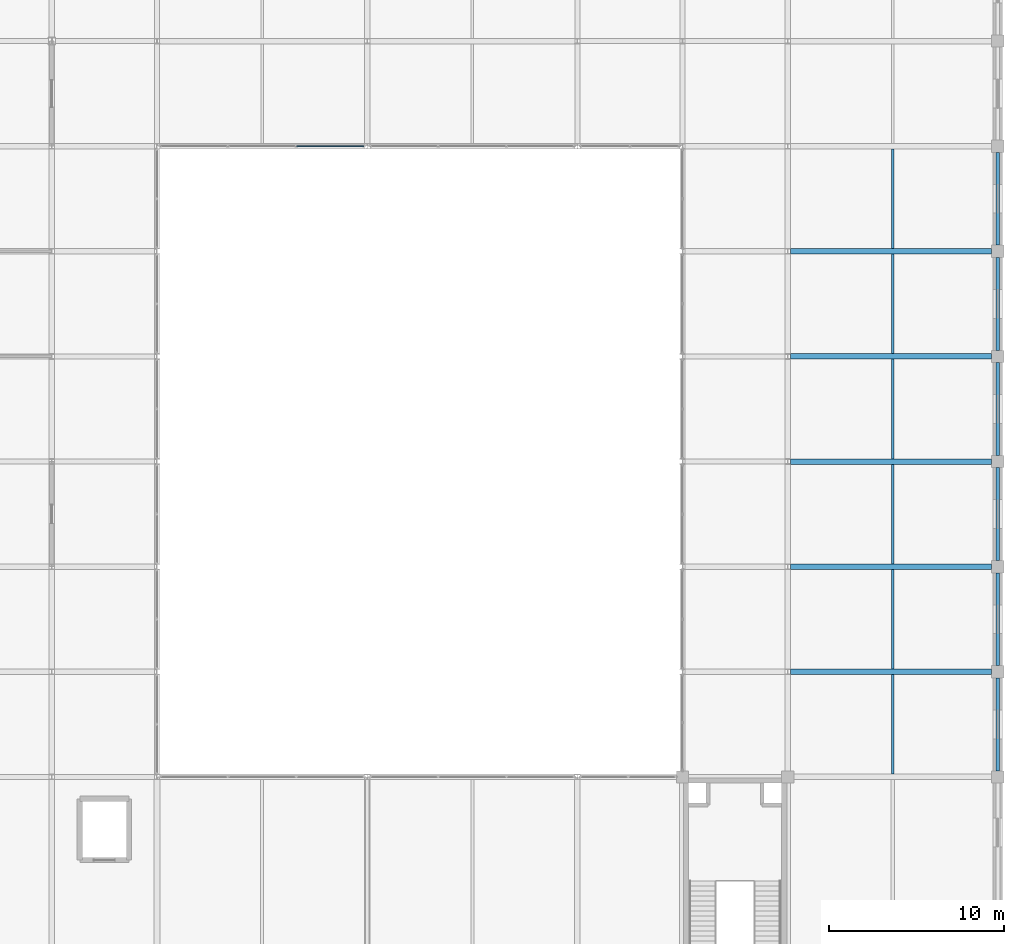
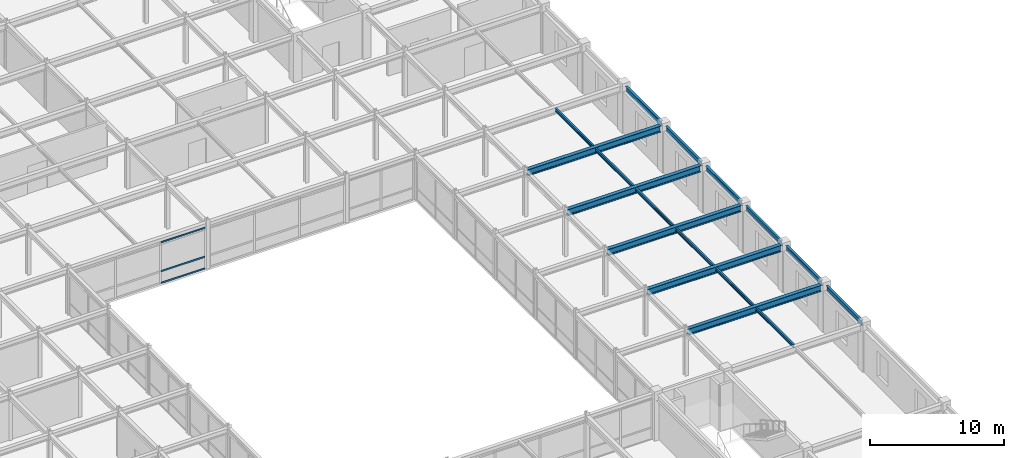
# One storey, part 88 of 108: 17 beams, 3 members, 1 element without a shape of its own.
"""IFC4 building model written with IfcOpenShell, lengths in metres."""

from ifc_helpers import new_model, si_unit, direction, frame, origin, origin_2d, place, context, subcontext, project, spatial, hollow_rectangle, i_section, extrude, material, layer, layer_set, material_profile, profile_set, type_object, element, aggregate, save


model = new_model("IFC4")

# Units and contexts
model_context = context("Model", 3, precision=1e-05, world=origin(), true_north=direction((0.0, 1.0)))
body_context = subcontext(model_context, "Body", "Model", "MODEL_VIEW")
ifc_project = project(units=[si_unit("LENGTHUNIT", "METRE"), si_unit("AREAUNIT", "SQUARE_METRE"), si_unit("VOLUMEUNIT", "CUBIC_METRE"), si_unit("PLANEANGLEUNIT", "RADIAN"), si_unit("MASSUNIT", "GRAM", prefix="KILO")], contexts=[model_context])

# Site, building, storey
site_placement = place(None, origin())
site = spatial("IfcSite", under=ifc_project, at=site_placement, CompositionType="ELEMENT")
building_placement = place(site_placement, origin())
building = spatial("IfcBuilding", under=site, at=building_placement, Name="Zlatovratsky Civic Hall", CompositionType="ELEMENT")
storey_placement = place(building_placement, frame((0.0, 0.0, 12.0)))
storey = spatial("IfcBuildingStorey", under=building, at=storey_placement, Name="L03", CompositionType="ELEMENT", Elevation=12.0)

# Beams
ifc_material_1 = material(Name="Steel S355", Category="steel")
ifc_material_profile_1 = material_profile(ifc_material_1, i_section(OverallWidth=0.320068359375, OverallDepth=0.58203125, WebThickness=0.011962890625, FlangeThickness=0.01708984375, FilletRadius=0.02392578125, at=origin_2d()), Name="60Sh1")
ifc_profile_set_1 = profile_set([ifc_material_profile_1], Name="Steel S355")
beam_type_1 = type_object("IfcBeamType", Name="Beam_PodiumGirder_60Sh1", PredefinedType="BEAM", material=ifc_profile_set_1)
for number, where, z_axis, x_axis, name in (
    (1, (156.1494140625, 36.0, 3.928955078125), (1.0, 0.0, 0.0), (0.0, 1.0, 0.0), "BM-2558"),
    (2, (156.1494140625, 42.0, 3.928955078125), (1.0, 0.0, 0.0), (0.0, 1.0, 0.0), "BM-2574"),
    (3, (156.1494140625, 48.0, 3.928955078125), (1.0, 0.0, 0.0), (0.0, 1.0, 0.0), "BM-2584"),
    (4, (156.1494140625, 54.0, 3.928955078125), (1.0, 0.0, 0.0), (0.0, 1.0, 0.0), "BM-2594"),
    (5, (156.1494140625, 60.0, 3.928955078125), (1.0, 0.0, 0.0), (0.0, 1.0, 0.0), "BM-2604"),
):
    element("IfcBeam", number, at=place(storey_placement, frame(where, z_axis=z_axis, x_axis=x_axis)), inside=storey, type_object=beam_type_1, Name=name, PredefinedType="BEAM", context=body_context, shape_type="SweptSolid", body=[
        extrude(i_section(OverallWidth=0.320068359375, OverallDepth=0.58203125, WebThickness=0.011962890625, FlangeThickness=0.01708984375, FilletRadius=0.02392578125, at=origin_2d()), origin(), (0.0, 0.0, 1.0), 11.50048828125),
    ])
ifc_material_profile_2 = material_profile(ifc_material_1, i_section(OverallWidth=0.198974609375, OverallDepth=0.491943359375, WebThickness=0.0087890625, FlangeThickness=0.011962890625, FilletRadius=0.01611328125, at=origin_2d()), Name="50B1")
ifc_profile_set_2 = profile_set([ifc_material_profile_2], Name="Steel S355")
beam_type_2 = type_object("IfcBeamType", Name="Beam_Spandrel_50B1", PredefinedType="SPANDREL", material=ifc_profile_set_2)
for number, where, z_axis, x_axis, name in (
    (6, (168.0, 30.35009765625, 3.97412109375), (0.0, 1.0, 0.0), (-1.0, 0.0, 0.0), "BM-3106"),
    (7, (168.0, 36.35009765625, 3.97412109375), (0.0, 1.0, 0.0), (-1.0, 0.0, 0.0), "BM-3107"),
    (8, (168.0, 42.35009765625, 3.97412109375), (0.0, 1.0, 0.0), (-1.0, 0.0, 0.0), "BM-3108"),
    (9, (168.0, 48.35009765625, 3.97412109375), (0.0, 1.0, 0.0), (-1.0, 0.0, 0.0), "BM-3109"),
    (10, (168.0, 54.35009765625, 3.97412109375), (0.0, 1.0, 0.0), (-1.0, 0.0, 0.0), "BM-3110"),
    (11, (168.0, 60.35009765625, 3.97412109375), (0.0, 1.0, 0.0), (-1.0, 0.0, 0.0), "BM-3111"),
):
    element("IfcBeam", number, at=place(storey_placement, frame(where, z_axis=z_axis, x_axis=x_axis)), inside=storey, type_object=beam_type_2, Name=name, PredefinedType="SPANDREL", context=body_context, shape_type="SweptSolid", body=[
        extrude(i_section(OverallWidth=0.198974609375, OverallDepth=0.491943359375, WebThickness=0.0087890625, FlangeThickness=0.011962890625, FilletRadius=0.01611328125, at=origin_2d()), origin(), (0.0, 0.0, 1.0), 5.2998046875),
    ])

# Curtain wall, members
ifc_material_2 = material(Name="Anodised bronze aluminium", Category="aluminium")
ifc_layer = layer(ifc_material_2, 0.159912109375)
ifc_layer_set = layer_set([ifc_layer], Name="Anodised bronze aluminium")
curtain_wall_type = type_object("IfcCurtainWallType", Name="CurtainWall_Bronze_11700x3770_11", PredefinedType="NOTDEFINED", material=ifc_layer_set)
curtain_wall_placement = place(storey_placement, origin())
curtain_wall = element("IfcCurtainWall", 12, at=curtain_wall_placement, inside=storey, type_object=curtain_wall_type, Name="CW-072", PredefinedType="NOTDEFINED")
ifc_material_profile_3 = material_profile(ifc_material_2, hollow_rectangle(XDim=0.06005859375, YDim=0.139892578125, WallThickness=0.00390625, at=origin_2d()), Name="ALU 60x140x4")
ifc_profile_set_3 = profile_set([ifc_material_profile_3], Name="Anodised bronze aluminium")
member_type = type_object("IfcMemberType", Name="CW_Transom_60x140", PredefinedType="USERDEFINED", material=ifc_profile_set_3)
member_1_placement = place(storey_placement, frame((127.980224609375, 66.0, 0.030029296875), z_axis=(1.0, 0.0, 0.0), x_axis=(0.0, 1.0, 0.0)))
member_1 = element("IfcMember", 13, at=member_1_placement, type_object=member_type, Name="CW-11 transom 3.1", ObjectType="TRANSOM", PredefinedType="USERDEFINED", context=body_context, shape_type="SweptSolid", body=[
    extrude(hollow_rectangle(XDim=0.06005859375, YDim=0.139892578125, WallThickness=0.00390625, at=origin_2d()), origin(), (0.0, 0.0, 1.0), 3.810302734375),
])
member_2_placement = place(storey_placement, frame((127.980224609375, 66.0, 1.10009765625), z_axis=(1.0, 0.0, 0.0), x_axis=(0.0, 1.0, 0.0)))
member_2 = element("IfcMember", 14, at=member_2_placement, type_object=member_type, Name="CW-11 transom 3.2", ObjectType="TRANSOM", PredefinedType="USERDEFINED", context=body_context, shape_type="SweptSolid", body=[
    extrude(hollow_rectangle(XDim=0.06005859375, YDim=0.139892578125, WallThickness=0.00390625, at=origin_2d()), origin(), (0.0, 0.0, 1.0), 3.810302734375),
])
member_3_placement = place(storey_placement, frame((127.980224609375, 66.0, 3.739990234375), z_axis=(1.0, 0.0, 0.0), x_axis=(0.0, 1.0, 0.0)))
member_3 = element("IfcMember", 15, at=member_3_placement, type_object=member_type, Name="CW-11 transom 3.3", ObjectType="TRANSOM", PredefinedType="USERDEFINED", context=body_context, shape_type="SweptSolid", body=[
    extrude(hollow_rectangle(XDim=0.06005859375, YDim=0.139892578125, WallThickness=0.00390625, at=origin_2d()), origin(), (0.0, 0.0, 1.0), 3.810302734375),
])
aggregate(curtain_wall, [member_1, member_2, member_3])

# Beams
ifc_material_profile_4 = material_profile(ifc_material_1, i_section(OverallWidth=0.14892578125, OverallDepth=0.2958984375, WebThickness=0.005615234375, FlangeThickness=0.008056640625, FilletRadius=0.012939453125, at=origin_2d()), Name="30B1")
ifc_profile_set_4 = profile_set([ifc_material_profile_4], Name="Steel S355")
beam_type_3 = type_object("IfcBeamType", Name="Joist_Tower_30B1", PredefinedType="JOIST", material=ifc_profile_set_4)
for number, where, z_axis, x_axis, name in (
    (16, (162.0, 30.159912109375, 4.072021484375), (0.0, 1.0, 0.0), (-1.0, 0.0, 0.0), "BM-3139"),
    (17, (162.0, 36.159912109375, 4.072021484375), (0.0, 1.0, 0.0), (-1.0, 0.0, 0.0), "BM-3141"),
    (18, (162.0, 42.159912109375, 4.072021484375), (0.0, 1.0, 0.0), (-1.0, 0.0, 0.0), "BM-3143"),
    (19, (162.0, 48.159912109375, 4.072021484375), (0.0, 1.0, 0.0), (-1.0, 0.0, 0.0), "BM-3145"),
    (20, (162.0, 54.159912109375, 4.072021484375), (0.0, 1.0, 0.0), (-1.0, 0.0, 0.0), "BM-3147"),
    (21, (162.0, 60.159912109375, 4.072021484375), (0.0, 1.0, 0.0), (-1.0, 0.0, 0.0), "BM-3149"),
):
    element("IfcBeam", number, at=place(storey_placement, frame(where, z_axis=z_axis, x_axis=x_axis)), inside=storey, type_object=beam_type_3, Name=name, PredefinedType="JOIST", context=body_context, shape_type="SweptSolid", body=[
        extrude(i_section(OverallWidth=0.14892578125, OverallDepth=0.2958984375, WebThickness=0.005615234375, FlangeThickness=0.008056640625, FilletRadius=0.012939453125, at=origin_2d()), origin(), (0.0, 0.0, 1.0), 5.68017578125),
    ])

save(model, "model.ifc")
